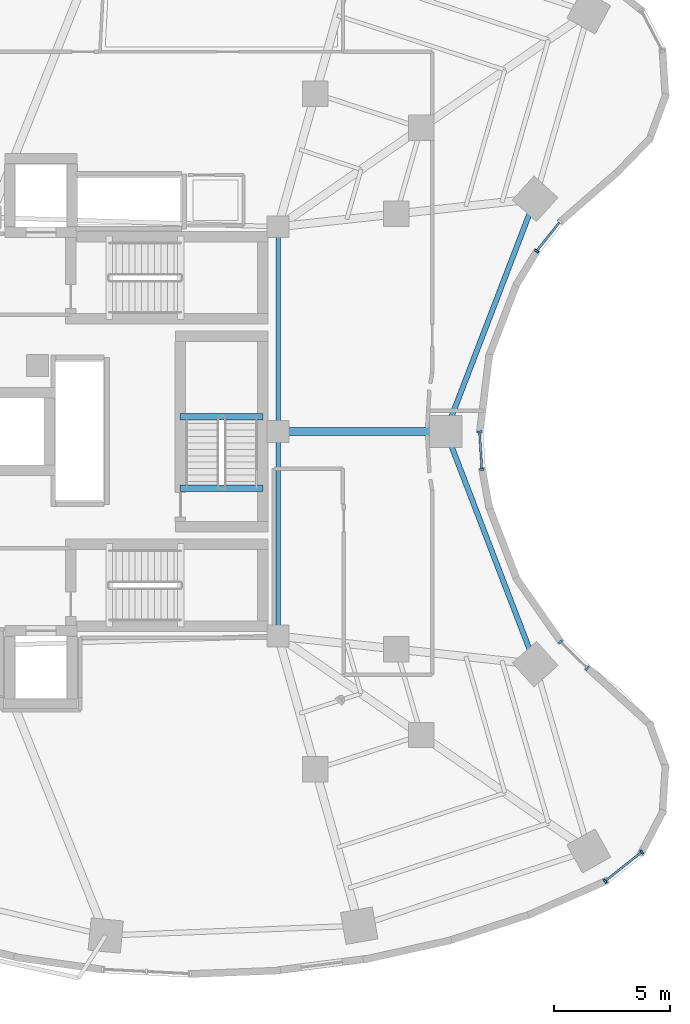
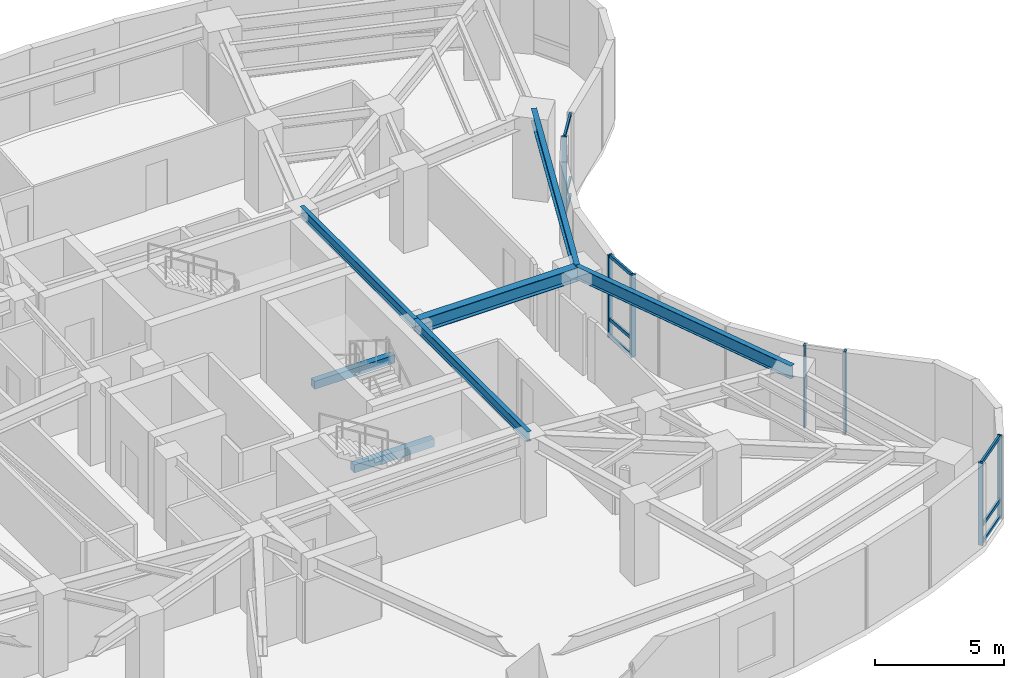
# One storey, part 4 of 13: 16 members, 7 beams, 4 elements without a shape of their own.
"""IFC4 building model written with IfcOpenShell, lengths in metres."""

from ifc_helpers import new_model, si_unit, direction, frame, origin, origin_2d, place, context, subcontext, project, spatial, rectangle, i_section, extrude, material, layer, layer_set, material_profile, profile_set, type_object, element, aggregate, save


model = new_model("IFC4")

# Units and contexts
model_context = context("Model", 3, precision=1e-05, world=origin(), true_north=direction((0.0, 1.0)))
body_context = subcontext(model_context, "Body", "Model", "MODEL_VIEW")
ifc_project = project(units=[si_unit("LENGTHUNIT", "METRE"), si_unit("AREAUNIT", "SQUARE_METRE"), si_unit("VOLUMEUNIT", "CUBIC_METRE"), si_unit("PLANEANGLEUNIT", "RADIAN"), si_unit("MASSUNIT", "GRAM", prefix="KILO")], contexts=[model_context])

# Site, building, storey
site_placement = place(None, origin())
site = spatial("IfcSite", under=ifc_project, at=site_placement, CompositionType="ELEMENT")
building_placement = place(site_placement, origin())
building = spatial("IfcBuilding", under=site, at=building_placement, Name="Korentha Bioscience Tower", CompositionType="ELEMENT")
storey_placement = place(building_placement, frame((0.0, 0.0, 67.800048828125)))
storey = spatial("IfcBuildingStorey", under=building, at=storey_placement, Name="L15", CompositionType="ELEMENT", Elevation=67.800048828125)

# Beams
ifc_material_1 = material(Name="Concrete C50", Category="concrete")
ifc_material_profile_1 = material_profile(ifc_material_1, rectangle(XDim=0.280029296875, YDim=0.3798828125, at=origin_2d()), Name="Concrete C50")
ifc_profile_set_1 = profile_set([ifc_material_profile_1], Name="Concrete C50 (ST-HB380)")
beam_type_1 = type_object("IfcBeamType", Name="Concrete Stair Header Beam RC 280x380", PredefinedType="BEAM", material=ifc_profile_set_1)
for number, where, z_axis, x_axis, name in (
    (1, (36.89990234375, 24.550048828125, -0.18994140625), (-1.0, 0.0, 0.0), (0.0, -1.0, 0.0), "L15 ST-3 Concrete Stair Header Beam"),
    (2, (36.89990234375, 27.6298828125, 1.909912109375), (-1.0, 0.0, 0.0), (0.0, -1.0, 0.0), "L15 ST-3 Half-Landing Header Beam 1"),
):
    element("IfcBeam", number, at=place(storey_placement, frame(where, z_axis=z_axis, x_axis=x_axis)), inside=storey, type_object=beam_type_1, Name=name, PredefinedType="BEAM", context=body_context, shape_type="SweptSolid", body=[
        extrude(rectangle(XDim=0.280029296875, YDim=0.3798828125, at=origin_2d()), origin(), (0.0, 0.0, 1.0), 3.599853515625),
    ])
ifc_material_2 = material(Name="Steel S355", Category="steel")
ifc_material_profile_2 = material_profile(ifc_material_2, i_section(OverallWidth=0.18994140625, OverallDepth=0.45703125, WebThickness=0.009033203125, FlangeThickness=0.014404296875, at=origin_2d()), Name="Steel S355")
ifc_profile_set_2 = profile_set([ifc_material_profile_2], Name="Steel S355 (MB-460)")
beam_type_2 = type_object("IfcBeamType", Name="Mid-Ring Tie Girder W460x74", PredefinedType="BEAM", material=ifc_profile_set_2)
for number, where, z_axis, x_axis, name in (
    (3, (37.550048828125, 18.14990234375, 3.67138671875), (0.0, 1.0, 0.0), (-1.0, 0.0, 0.0), "L15 Core Ring Tie Girder 06"),
    (4, (37.550048828125, 27.0, 3.67138671875), (0.0, 1.0, 0.0), (-1.0, 0.0, 0.0), "L15 Core Ring Tie Girder 07"),
):
    element("IfcBeam", number, at=place(storey_placement, frame(where, z_axis=z_axis, x_axis=x_axis)), inside=storey, type_object=beam_type_2, Name=name, PredefinedType="BEAM", context=body_context, shape_type="SweptSolid", body=[
        extrude(i_section(OverallWidth=0.18994140625, OverallDepth=0.45703125, WebThickness=0.009033203125, FlangeThickness=0.014404296875, at=origin_2d()), origin(), (0.0, 0.0, 1.0), 8.85009765625),
    ])

# Curtain wall, members
ifc_material_3 = material(Name="Thermally Broken Aluminium Frame", Category="aluminium")
ifc_layer = layer(ifc_material_3, 0.219970703125, Name="Thermally Broken Aluminium Frame")
ifc_layer_set = layer_set([ifc_layer], Name="Thermally Broken Aluminium Frame (CW-T1)")
curtain_wall_type = type_object("IfcCurtainWallType", Name="Standard Bioscience Lab Unitised Curtain Wall CW-T1", PredefinedType="USERDEFINED", material=ifc_layer_set)
curtain_wall_1_placement = place(storey_placement, origin())
curtain_wall_1 = element("IfcCurtainWall", 5, at=curtain_wall_1_placement, inside=storey, type_object=curtain_wall_type, Name="L15 Curtain Wall 37", ObjectType="UNITISED", PredefinedType="USERDEFINED")
ifc_material_4 = material(Name="Anodised Aluminium 6063-T6", Category="aluminium")
ifc_material_profile_3 = material_profile(ifc_material_4, rectangle(XDim=0.090087890625, YDim=0.199951171875, at=origin_2d()), Name="Anodised Aluminium 6063-T6")
ifc_profile_set_3 = profile_set([ifc_material_profile_3], Name="Anodised Aluminium 6063-T6 (CW-MUL)")
member_type_1 = type_object("IfcMemberType", Name="Mullion RECT 90x200", PredefinedType="MULLION", material=ifc_profile_set_3)
member_1_placement = place(storey_placement, frame((51.6865234375, 7.56298828125, 0.0), z_axis=(0.0, 0.0, 1.0), x_axis=(0.782287851332, 0.62291710336, 0.0)))
member_1 = element("IfcMember", 6, at=member_1_placement, type_object=member_type_1, Name="CW-L15-37 Mullion 1", PredefinedType="MULLION", context=body_context, shape_type="SweptSolid", body=[
    extrude(rectangle(XDim=0.090087890625, YDim=0.199951171875, at=origin_2d()), origin(), (0.0, 0.0, 1.0), 3.89990234375),
])
member_2_placement = place(storey_placement, frame((53.264892578125, 8.81982421875, 0.0), z_axis=(0.0, 0.0, 1.0), x_axis=(0.782287851332, 0.62291710336, 0.0)))
member_2 = element("IfcMember", 7, at=member_2_placement, type_object=member_type_1, Name="CW-L15-37 Mullion 2", PredefinedType="MULLION", context=body_context, shape_type="SweptSolid", body=[
    extrude(rectangle(XDim=0.090087890625, YDim=0.199951171875, at=origin_2d()), origin(), (0.0, 0.0, 1.0), 3.89990234375),
])

curtain_wall_2_placement = place(storey_placement, origin())
curtain_wall_2 = element("IfcCurtainWall", 8, at=curtain_wall_2_placement, inside=storey, type_object=curtain_wall_type, Name="L15 Curtain Wall 43", ObjectType="UNITISED", PredefinedType="USERDEFINED")
member_3_placement = place(storey_placement, frame((50.913818359375, 16.76513671875, 0.0), z_axis=(0.0, 0.0, 1.0), x_axis=(-0.713279246754, 0.700879958445, 0.0)))
member_3 = element("IfcMember", 9, at=member_3_placement, type_object=member_type_1, Name="CW-L15-43 Mullion 1", PredefinedType="MULLION", context=body_context, shape_type="SweptSolid", body=[
    extrude(rectangle(XDim=0.090087890625, YDim=0.199951171875, at=origin_2d()), origin(), (0.0, 0.0, 1.0), 3.89990234375),
])
member_4_placement = place(storey_placement, frame((49.752685546875, 17.90625, 0.0), z_axis=(0.0, 0.0, 1.0), x_axis=(-0.713279246754, 0.700879958445, 0.0)))
member_4 = element("IfcMember", 10, at=member_4_placement, type_object=member_type_1, Name="CW-L15-43 Mullion 2", PredefinedType="MULLION", context=body_context, shape_type="SweptSolid", body=[
    extrude(rectangle(XDim=0.090087890625, YDim=0.199951171875, at=origin_2d()), origin(), (0.0, 0.0, 1.0), 3.89990234375),
])
aggregate(curtain_wall_2, [member_3, member_4])

curtain_wall_3_placement = place(storey_placement, origin())
curtain_wall_3 = element("IfcCurtainWall", 11, at=curtain_wall_3_placement, inside=storey, type_object=curtain_wall_type, Name="L15 Curtain Wall 49", ObjectType="UNITISED", PredefinedType="USERDEFINED")
member_5_placement = place(storey_placement, frame((46.355712890625, 25.3603515625, 0.0), z_axis=(0.0, 0.0, 1.0), x_axis=(-0.061008272998, 0.998137260413, 0.0)))
member_5 = element("IfcMember", 12, at=member_5_placement, type_object=member_type_1, Name="CW-L15-49 Mullion 1", PredefinedType="MULLION", context=body_context, shape_type="SweptSolid", body=[
    extrude(rectangle(XDim=0.090087890625, YDim=0.199951171875, at=origin_2d()), origin(), (0.0, 0.0, 1.0), 3.89990234375),
])
member_6_placement = place(storey_placement, frame((46.25634765625, 26.985107421875, 0.0), z_axis=(0.0, 0.0, 1.0), x_axis=(-0.061008272998, 0.998137260413, 0.0)))
member_6 = element("IfcMember", 13, at=member_6_placement, type_object=member_type_1, Name="CW-L15-49 Mullion 2", PredefinedType="MULLION", context=body_context, shape_type="SweptSolid", body=[
    extrude(rectangle(XDim=0.090087890625, YDim=0.199951171875, at=origin_2d()), origin(), (0.0, 0.0, 1.0), 3.89990234375),
])

# Curtain wall, member
curtain_wall_4_placement = place(storey_placement, origin())
curtain_wall_4 = element("IfcCurtainWall", 14, at=curtain_wall_4_placement, inside=storey, type_object=curtain_wall_type, Name="L15 Curtain Wall 55", ObjectType="UNITISED", PredefinedType="USERDEFINED")
member_7_placement = place(storey_placement, frame((48.719482421875, 34.7978515625, 0.0), z_axis=(0.0, 0.0, 1.0), x_axis=(0.622520324648, 0.782603632371, 0.0)))
member_7 = element("IfcMember", 15, at=member_7_placement, type_object=member_type_1, Name="CW-L15-55 Mullion 1", PredefinedType="MULLION", context=body_context, shape_type="SweptSolid", body=[
    extrude(rectangle(XDim=0.090087890625, YDim=0.199951171875, at=origin_2d()), origin(), (0.0, 0.0, 1.0), 3.89990234375),
])

# Beams
ifc_material_profile_4 = material_profile(ifc_material_2, i_section(OverallWidth=0.22802734375, OverallDepth=0.60791015625, WebThickness=0.01123046875, FlangeThickness=0.017333984375, at=origin_2d()), Name="Steel S355")
ifc_profile_set_4 = profile_set([ifc_material_profile_4], Name="Steel S355 (SB-610)")
beam_type_3 = type_object("IfcBeamType", Name="Perimeter Ring Spandrel Girder W610x113", PredefinedType="SPANDREL", material=ifc_profile_set_4)
for number, where, z_axis, x_axis, name in (
    (16, (48.661865234375, 16.939208984375, 3.595947265625), (-0.358473520253, 0.93353989485, 0.0), (-0.93353989485, -0.358473520253, 0.0), "L15 Perimeter Spandrel Girder 14"),
    (17, (44.798583984375, 27.0, 3.595947265625), (0.358473520253, 0.93353989485, 0.0), (-0.93353989485, 0.358473520253, 0.0), "L15 Perimeter Spandrel Girder 15"),
):
    element("IfcBeam", number, at=place(storey_placement, frame(where, z_axis=z_axis, x_axis=x_axis)), inside=storey, type_object=beam_type_3, Name=name, PredefinedType="SPANDREL", context=body_context, shape_type="SweptSolid", body=[
        extrude(i_section(OverallWidth=0.22802734375, OverallDepth=0.60791015625, WebThickness=0.01123046875, FlangeThickness=0.017333984375, at=origin_2d()), origin(), (0.0, 0.0, 1.0), 10.777099609375),
    ])
ifc_material_profile_5 = material_profile(ifc_material_2, i_section(OverallWidth=0.35009765625, OverallDepth=0.64990234375, WebThickness=0.01611328125, FlangeThickness=0.02490234375, at=origin_2d()), Name="Steel S355")
ifc_profile_set_5 = profile_set([ifc_material_profile_5], Name="Steel S355 (RB-650)")
beam_type_4 = type_object("IfcBeamType", Name="Radial Laboratory Girder CVS 650x208", PredefinedType="BEAM", material=ifc_profile_set_5)
beam_placement = place(storey_placement, frame((37.550048828125, 27.0, 3.574951171875), z_axis=(1.0, 0.0, 0.0), x_axis=(0.0, 1.0, 0.0)))
element("IfcBeam", 18, at=beam_placement, inside=storey, type_object=beam_type_4, Name="L15 Radial Girder 15", PredefinedType="BEAM", context=body_context, shape_type="SweptSolid", body=[
    extrude(i_section(OverallWidth=0.35009765625, OverallDepth=0.64990234375, WebThickness=0.01611328125, FlangeThickness=0.02490234375, at=origin_2d()), origin(), (0.0, 0.0, 1.0), 7.24853515625),
])

# Member
ifc_material_profile_6 = material_profile(ifc_material_4, rectangle(XDim=0.090087890625, YDim=0.159912109375, at=origin_2d()), Name="Anodised Aluminium 6063-T6")
ifc_profile_set_6 = profile_set([ifc_material_profile_6], Name="Anodised Aluminium 6063-T6 (CW-TRN)")
member_type_2 = type_object("IfcMemberType", Name="Transom RECT 90x160", PredefinedType="USERDEFINED", material=ifc_profile_set_6)
member_8_placement = place(storey_placement, frame((51.7216796875, 7.591064453125, 0.044921875), z_axis=(0.78232471634, 0.622870803782, 0.0), x_axis=(-0.622870803782, 0.78232471634, 0.0)))
member_8 = element("IfcMember", 19, at=member_8_placement, type_object=member_type_2, Name="CW-L15-37 Bay 1 Transom 1", ObjectType="TRANSOM", PredefinedType="USERDEFINED", context=body_context, shape_type="SweptSolid", body=[
    extrude(rectangle(XDim=0.090087890625, YDim=0.159912109375, at=origin_2d()), origin(), (0.0, 0.0, 1.0), 1.927734375),
])

member_9_placement = place(storey_placement, frame((51.7216796875, 7.591064453125, 0.849853515625), z_axis=(0.78232471634, 0.622870803782, 0.0), x_axis=(-0.622870803782, 0.78232471634, 0.0)))
member_9 = element("IfcMember", 20, at=member_9_placement, type_object=member_type_2, Name="CW-L15-37 Bay 1 Transom 2", ObjectType="TRANSOM", PredefinedType="USERDEFINED", context=body_context, shape_type="SweptSolid", body=[
    extrude(rectangle(XDim=0.090087890625, YDim=0.159912109375, at=origin_2d()), origin(), (0.0, 0.0, 1.0), 1.927734375),
])

member_10_placement = place(storey_placement, frame((51.7216796875, 7.591064453125, 3.85498046875), z_axis=(0.78232471634, 0.622870803782, 0.0), x_axis=(-0.622870803782, 0.78232471634, 0.0)))
member_10 = element("IfcMember", 21, at=member_10_placement, type_object=member_type_2, Name="CW-L15-37 Bay 1 Transom 3", ObjectType="TRANSOM", PredefinedType="USERDEFINED", context=body_context, shape_type="SweptSolid", body=[
    extrude(rectangle(XDim=0.090087890625, YDim=0.159912109375, at=origin_2d()), origin(), (0.0, 0.0, 1.0), 1.927734375),
])

aggregate(curtain_wall_1, [member_1, member_2, member_8, member_9, member_10])

member_11_placement = place(storey_placement, frame((46.352783203125, 25.4052734375, 0.044921875), z_axis=(-0.060964804815, 0.998139916331, 0.0), x_axis=(-0.998139916331, -0.060964804815, 0.0)))
member_11 = element("IfcMember", 22, at=member_11_placement, type_object=member_type_2, Name="CW-L15-49 Bay 1 Transom 1", ObjectType="TRANSOM", PredefinedType="USERDEFINED", context=body_context, shape_type="SweptSolid", body=[
    extrude(rectangle(XDim=0.090087890625, YDim=0.159912109375, at=origin_2d()), origin(), (0.0, 0.0, 1.0), 1.537841796875),
])

member_12_placement = place(storey_placement, frame((46.352783203125, 25.4052734375, 0.849853515625), z_axis=(-0.060964804815, 0.998139916331, 0.0), x_axis=(-0.998139916331, -0.060964804815, 0.0)))
member_12 = element("IfcMember", 23, at=member_12_placement, type_object=member_type_2, Name="CW-L15-49 Bay 1 Transom 2", ObjectType="TRANSOM", PredefinedType="USERDEFINED", context=body_context, shape_type="SweptSolid", body=[
    extrude(rectangle(XDim=0.090087890625, YDim=0.159912109375, at=origin_2d()), origin(), (0.0, 0.0, 1.0), 1.537841796875),
])

member_13_placement = place(storey_placement, frame((46.352783203125, 25.4052734375, 3.85498046875), z_axis=(-0.060964804815, 0.998139916331, 0.0), x_axis=(-0.998139916331, -0.060964804815, 0.0)))
member_13 = element("IfcMember", 24, at=member_13_placement, type_object=member_type_2, Name="CW-L15-49 Bay 1 Transom 3", ObjectType="TRANSOM", PredefinedType="USERDEFINED", context=body_context, shape_type="SweptSolid", body=[
    extrude(rectangle(XDim=0.090087890625, YDim=0.159912109375, at=origin_2d()), origin(), (0.0, 0.0, 1.0), 1.537841796875),
])

aggregate(curtain_wall_3, [member_5, member_6, member_11, member_12, member_13])

member_14_placement = place(storey_placement, frame((48.74755859375, 34.8330078125, 0.044921875), z_axis=(0.622563336945, 0.782569416405, 0.0), x_axis=(-0.782569416405, 0.622563336945, 0.0)))
member_14 = element("IfcMember", 25, at=member_14_placement, type_object=member_type_2, Name="CW-L15-55 Bay 1 Transom 1", ObjectType="TRANSOM", PredefinedType="USERDEFINED", context=body_context, shape_type="SweptSolid", body=[
    extrude(rectangle(XDim=0.090087890625, YDim=0.159912109375, at=origin_2d()), origin(), (0.0, 0.0, 1.0), 1.5380859375),
])

member_15_placement = place(storey_placement, frame((48.74755859375, 34.8330078125, 0.849853515625), z_axis=(0.622563336945, 0.782569416405, 0.0), x_axis=(-0.782569416405, 0.622563336945, 0.0)))
member_15 = element("IfcMember", 26, at=member_15_placement, type_object=member_type_2, Name="CW-L15-55 Bay 1 Transom 2", ObjectType="TRANSOM", PredefinedType="USERDEFINED", context=body_context, shape_type="SweptSolid", body=[
    extrude(rectangle(XDim=0.090087890625, YDim=0.159912109375, at=origin_2d()), origin(), (0.0, 0.0, 1.0), 1.5380859375),
])

member_16_placement = place(storey_placement, frame((48.74755859375, 34.8330078125, 3.85498046875), z_axis=(0.622563336945, 0.782569416405, 0.0), x_axis=(-0.782569416405, 0.622563336945, 0.0)))
member_16 = element("IfcMember", 27, at=member_16_placement, type_object=member_type_2, Name="CW-L15-55 Bay 1 Transom 3", ObjectType="TRANSOM", PredefinedType="USERDEFINED", context=body_context, shape_type="SweptSolid", body=[
    extrude(rectangle(XDim=0.090087890625, YDim=0.159912109375, at=origin_2d()), origin(), (0.0, 0.0, 1.0), 1.5380859375),
])

aggregate(curtain_wall_4, [member_7, member_14, member_15, member_16])

save(model, "model.ifc")
